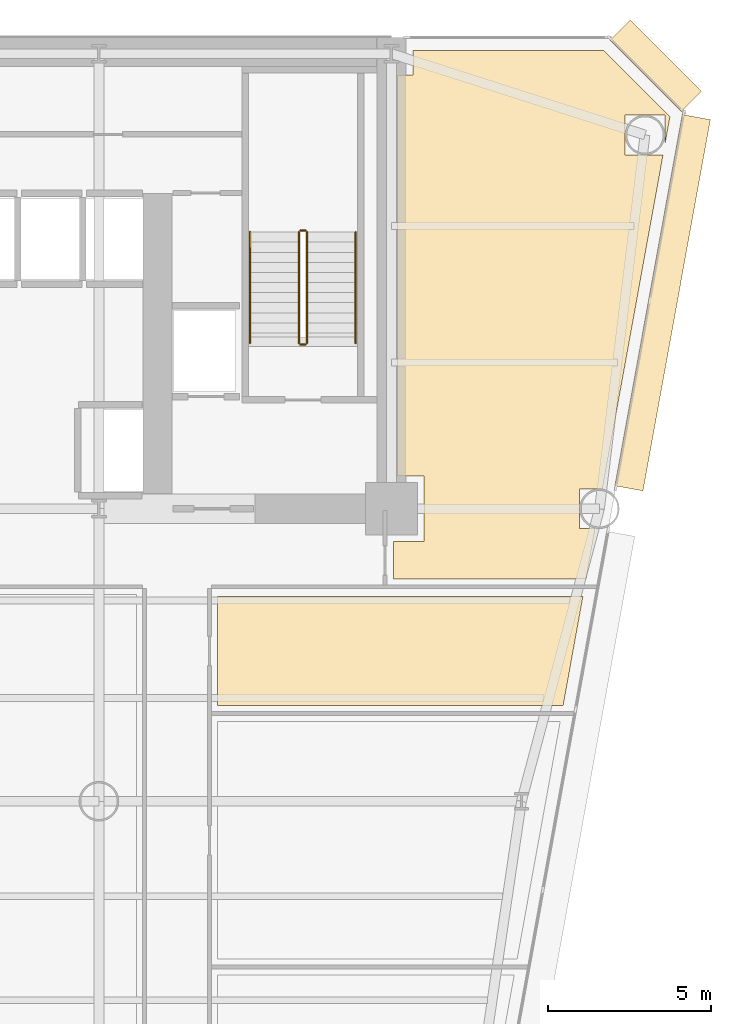
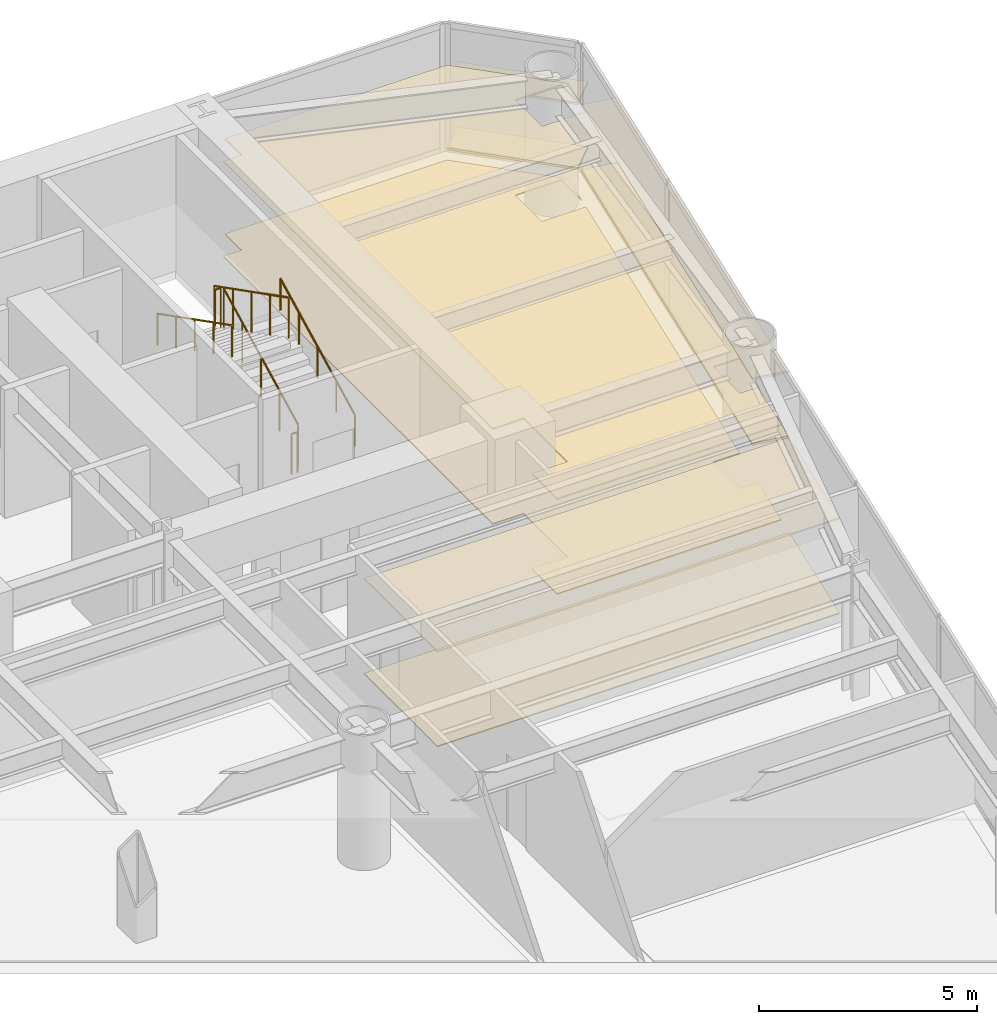
# One storey, part 14 of 14: 8 coverings, 6 railings.
"""IFC4 building model written with IfcOpenShell, lengths in metres."""

from ifc_helpers import new_model, si_unit, direction, frame, origin, origin_2d, place, context, subcontext, project, spatial, polyline, rectangle, circle, outline, extrude, source, transform, mapped, material, layer, layer_set, type_object, element, save


model = new_model("IFC4")

# Units and contexts
model_context = context("Model", 3, precision=1e-05, world=origin(), true_north=direction((0.0, 1.0)))
body_context = subcontext(model_context, "Body", "Model", "MODEL_VIEW")
ifc_project = project(units=[si_unit("LENGTHUNIT", "METRE"), si_unit("AREAUNIT", "SQUARE_METRE"), si_unit("VOLUMEUNIT", "CUBIC_METRE"), si_unit("PLANEANGLEUNIT", "RADIAN"), si_unit("MASSUNIT", "GRAM", prefix="KILO")], contexts=[model_context])

# Site, building, storey
site_placement = place(None, origin())
site = spatial("IfcSite", under=ifc_project, at=site_placement, CompositionType="ELEMENT")
building_placement = place(site_placement, origin())
building = spatial("IfcBuilding", under=site, at=building_placement, Name="Vaeldorn Concourse Tower", CompositionType="ELEMENT")
storey_placement = place(building_placement, frame((0.0, 0.0, 22.60009765625)))
storey = spatial("IfcBuildingStorey", under=building, at=storey_placement, Name="L05", CompositionType="ELEMENT", Elevation=22.60009765625)

# Coverings
ifc_material_1 = material(Name="Acoustic Mineral Fibre Board", Category="gypsum")
ifc_layer_1 = layer(ifc_material_1, 0.0400390625)
ifc_layer_set_1 = layer_set([ifc_layer_1], Name="Acoustic Mineral Fibre Board")
covering_type_1 = type_object("IfcCoveringType", Name="COV-CEIL-ACOUSTIC", PredefinedType="CEILING", material=ifc_layer_set_1)
covering_1_placement = place(storey_placement, frame((0.0, 0.0, 2.64990234375)))
element("IfcCovering", 1, at=covering_1_placement, inside=storey, type_object=covering_type_1, Name="Suspended Acoustic Ceiling L05-4", PredefinedType="CEILING", context=body_context, shape_type="SweptSolid", body=[
    extrude(outline(polyline([(54.179931640625, 49.840087890625), (54.659912109375, 49.840087890625), (54.659912109375, 50.60009765625), (60.5341796875, 50.60009765625), (62.569091796875, 48.565185546875), (62.409423828125, 47.685791015625), (62.409423828125, 48.609619140625), (61.1904296875, 48.609619140625), (61.1904296875, 47.390380859375), (62.35595703125, 47.390380859375), (60.490478515625, 37.109619140625), (59.79052734375, 37.109619140625), (59.79052734375, 35.890380859375), (60.269287109375, 35.890380859375), (59.98779296875, 34.340087890625), (54.06005859375, 34.340087890625), (54.06005859375, 35.5), (55.0, 35.5), (55.0, 37.5), (54.179931640625, 37.5), (54.179931640625, 49.840087890625)])), origin(), (0.0, 0.0, 1.0), 0.0400390625),
])
covering_2_placement = place(storey_placement, frame((0.0, 0.0, 2.64990234375)))
element("IfcCovering", 2, at=covering_2_placement, inside=storey, type_object=covering_type_1, Name="Suspended Acoustic Ceiling L05-9", PredefinedType="CEILING", context=body_context, shape_type="SweptSolid", body=[
    extrude(outline(polyline([(48.639892578125, 30.43994140625), (48.639892578125, 33.800048828125), (59.889892578125, 33.800048828125), (59.2802734375, 30.43994140625), (48.639892578125, 30.43994140625)])), origin(), (0.0, 0.0, 1.0), 0.0400390625),
])
ifc_material_2 = material(Name="Honed Limestone Terrazzo Flooring", Category="masonry")
ifc_layer_2 = layer(ifc_material_2, 0.0400390625)
ifc_layer_set_2 = layer_set([ifc_layer_2], Name="Honed Limestone Terrazzo Flooring")
covering_type_2 = type_object("IfcCoveringType", Name="COV-FLOOR-STONE", PredefinedType="FLOORING", material=ifc_layer_set_2)
covering_3_placement = place(storey_placement, origin())
element("IfcCovering", 3, at=covering_3_placement, inside=storey, type_object=covering_type_2, Name="Floor Finish Covering L05-4", PredefinedType="FLOORING", context=body_context, shape_type="SweptSolid", body=[
    extrude(outline(polyline([(54.179931640625, 49.840087890625), (54.659912109375, 49.840087890625), (54.659912109375, 50.60009765625), (60.5341796875, 50.60009765625), (62.569091796875, 48.565185546875), (62.409423828125, 47.685791015625), (62.409423828125, 48.609619140625), (61.1904296875, 48.609619140625), (61.1904296875, 47.390380859375), (62.35595703125, 47.390380859375), (60.490478515625, 37.109619140625), (59.79052734375, 37.109619140625), (59.79052734375, 35.890380859375), (60.269287109375, 35.890380859375), (59.98779296875, 34.340087890625), (54.06005859375, 34.340087890625), (54.06005859375, 35.5), (55.0, 35.5), (55.0, 37.5), (54.179931640625, 37.5), (54.179931640625, 49.840087890625)])), origin(), (0.0, 0.0, 1.0), 0.02978515625),
])
covering_4_placement = place(storey_placement, origin())
element("IfcCovering", 4, at=covering_4_placement, inside=storey, type_object=covering_type_2, Name="Floor Finish Covering L05-9", PredefinedType="FLOORING", context=body_context, shape_type="SweptSolid", body=[
    extrude(outline(polyline([(48.639892578125, 30.43994140625), (48.639892578125, 33.800048828125), (59.889892578125, 33.800048828125), (59.2802734375, 30.43994140625), (48.639892578125, 30.43994140625)])), origin(), (0.0, 0.0, 1.0), 0.02978515625),
])

# Railings
ifc_material_3 = material(Name="Anodised Bronze Aluminium", Category="aluminium")
railing_type_1 = type_object("IfcRailingType", Name="RL-STAIR-GUARD", PredefinedType="GUARDRAIL", material=ifc_material_3)
railing_1_placement = place(storey_placement, frame((51.39990234375, 41.60009765625, 0.158203125)))
element("IfcRailing", 5, at=railing_1_placement, inside=storey, type_object=railing_type_1, Name="L05 ST-2 stair guard 1", PredefinedType="GUARDRAIL", context=body_context, shape_type="SweptSolid", body=[
    extrude(circle(Radius=0.02392578125, at=origin_2d()), frame((0.0, 0.0, 1.1259765625), z_axis=(0.0, 0.890555807335, 0.454873997962), x_axis=(-1.0, 0.0, 0.0)), (0.0, 0.0, 1.0), 3.828857421875),
    extrude(circle(Radius=0.02099609375, at=origin_2d()), origin(), (0.0, 0.0, 1.0), 1.101806640625),
    extrude(circle(Radius=0.02099609375, at=origin_2d()), frame((0.0, 0.8525390625, 0.435546875)), (0.0, 0.0, 1.0), 1.101806640625),
    extrude(circle(Radius=0.02099609375, at=origin_2d()), frame((0.0, 1.705078125, 0.870849609375)), (0.0, 0.0, 1.0), 1.101806640625),
    extrude(circle(Radius=0.02099609375, at=origin_2d()), frame((0.0, 2.557373046875, 1.30615234375)), (0.0, 0.0, 1.0), 1.101806640625),
    extrude(circle(Radius=0.02099609375, at=origin_2d()), frame((0.0, 3.409912109375, 1.74169921875)), (0.0, 0.0, 1.0), 1.101806640625),
])
railing_2_placement = place(storey_placement, frame((51.35009765625, 45.06005859375, 1.89990234375)))
element("IfcRailing", 6, at=railing_2_placement, inside=storey, type_object=railing_type_1, Name="L05 ST-2 stair guard 2", PredefinedType="GUARDRAIL", context=body_context, shape_type="SweptSolid", body=[
    extrude(circle(Radius=0.02392578125, at=origin_2d()), frame((0.0, 0.0, 1.1259765625), z_axis=(-1.0, 0.0, 0.0), x_axis=(0.0, -1.0, 0.0)), (0.0, 0.0, 1.0), 0.150146484375),
    extrude(circle(Radius=0.02099609375, at=origin_2d()), origin(), (0.0, 0.0, 1.0), 1.101806640625),
    extrude(circle(Radius=0.02099609375, at=origin_2d()), frame((-0.150146484375, 0.0, 0.0)), (0.0, 0.0, 1.0), 1.101806640625),
])
railing_3_placement = place(storey_placement, frame((51.14990234375, 45.010009765625, 2.058349609375)))
element("IfcRailing", 7, at=railing_3_placement, inside=storey, type_object=railing_type_1, Name="L05 ST-2 stair guard 3", PredefinedType="GUARDRAIL", context=body_context, shape_type="SweptSolid", body=[
    extrude(circle(Radius=0.02392578125, at=origin_2d()), frame((0.0, 0.0, 1.1259765625), z_axis=(0.0, -0.890581635807, 0.454823427236), x_axis=(1.0, 0.0, 0.0)), (0.0, 0.0, 1.0), 3.828857421875),
    extrude(circle(Radius=0.02099609375, at=origin_2d()), origin(), (0.0, 0.0, 1.0), 1.101806640625),
    extrude(circle(Radius=0.02099609375, at=origin_2d()), frame((0.0, -0.8525390625, 0.435302734375)), (0.0, 0.0, 1.0), 1.101806640625),
    extrude(circle(Radius=0.02099609375, at=origin_2d()), frame((0.0, -1.705078125, 0.87060546875)), (0.0, 0.0, 1.0), 1.101806640625),
    extrude(circle(Radius=0.02099609375, at=origin_2d()), frame((0.0, -2.557373046875, 1.30615234375)), (0.0, 0.0, 1.0), 1.101806640625),
    extrude(circle(Radius=0.02099609375, at=origin_2d()), frame((0.0, -3.409912109375, 1.741455078125)), (0.0, 0.0, 1.0), 1.101806640625),
])
railing_4_placement = place(storey_placement, frame((51.35009765625, 41.550048828125, 0.0)))
element("IfcRailing", 8, at=railing_4_placement, inside=storey, type_object=railing_type_1, Name="L05 ST-2 stair guard 4", PredefinedType="GUARDRAIL", context=body_context, shape_type="SweptSolid", body=[
    extrude(circle(Radius=0.02392578125, at=origin_2d()), frame((0.0, 0.0, 1.1259765625), z_axis=(-1.0, 0.0, 0.0), x_axis=(0.0, -1.0, 0.0)), (0.0, 0.0, 1.0), 0.150146484375),
    extrude(circle(Radius=0.02099609375, at=origin_2d()), origin(), (0.0, 0.0, 1.0), 1.101806640625),
    extrude(circle(Radius=0.02099609375, at=origin_2d()), frame((-0.150146484375, 0.0, 0.0)), (0.0, 0.0, 1.0), 1.101806640625),
])
railing_type_2 = type_object("IfcRailingType", Name="RL-STAIR-HANDRAIL", PredefinedType="HANDRAIL", material=ifc_material_3)
railing_5_placement = place(storey_placement, frame((52.89990234375, 41.60009765625, 0.158203125)))
element("IfcRailing", 9, at=railing_5_placement, inside=storey, type_object=railing_type_2, Name="L05 ST-2 stair handrail 1", PredefinedType="HANDRAIL", context=body_context, shape_type="SweptSolid", body=[
    extrude(circle(Radius=0.02392578125, at=origin_2d()), frame((0.0, 0.0, 0.8759765625), z_axis=(0.0, 0.890555807335, 0.454873997962), x_axis=(-1.0, 0.0, 0.0)), (0.0, 0.0, 1.0), 3.828857421875),
    extrude(circle(Radius=0.02099609375, at=origin_2d()), origin(), (0.0, 0.0, 1.0), 0.851806640625),
    extrude(circle(Radius=0.02099609375, at=origin_2d()), frame((0.0, 0.8525390625, 0.435546875)), (0.0, 0.0, 1.0), 0.851806640625),
    extrude(circle(Radius=0.02099609375, at=origin_2d()), frame((0.0, 1.705078125, 0.870849609375)), (0.0, 0.0, 1.0), 0.851806640625),
    extrude(circle(Radius=0.02099609375, at=origin_2d()), frame((0.0, 2.557373046875, 1.30615234375)), (0.0, 0.0, 1.0), 0.851806640625),
    extrude(circle(Radius=0.02099609375, at=origin_2d()), frame((0.0, 3.409912109375, 1.74169921875)), (0.0, 0.0, 1.0), 0.851806640625),
])
railing_6_placement = place(storey_placement, frame((49.64990234375, 45.010009765625, 2.058349609375)))
element("IfcRailing", 10, at=railing_6_placement, inside=storey, type_object=railing_type_2, Name="L05 ST-2 stair handrail 2", PredefinedType="HANDRAIL", context=body_context, shape_type="SweptSolid", body=[
    extrude(circle(Radius=0.02392578125, at=origin_2d()), frame((0.0, 0.0, 0.8759765625), z_axis=(0.0, -0.890581635807, 0.454823427236), x_axis=(1.0, 0.0, 0.0)), (0.0, 0.0, 1.0), 3.828857421875),
    extrude(circle(Radius=0.02099609375, at=origin_2d()), origin(), (0.0, 0.0, 1.0), 0.851806640625),
    extrude(circle(Radius=0.02099609375, at=origin_2d()), frame((0.0, -0.8525390625, 0.435302734375)), (0.0, 0.0, 1.0), 0.851806640625),
    extrude(circle(Radius=0.02099609375, at=origin_2d()), frame((0.0, -1.705078125, 0.87060546875)), (0.0, 0.0, 1.0), 0.851806640625),
    extrude(circle(Radius=0.02099609375, at=origin_2d()), frame((0.0, -2.557373046875, 1.30615234375)), (0.0, 0.0, 1.0), 0.851806640625),
    extrude(circle(Radius=0.02099609375, at=origin_2d()), frame((0.0, -3.409912109375, 1.741455078125)), (0.0, 0.0, 1.0), 0.851806640625),
])

# Coverings
ifc_layer_3 = layer(ifc_material_3, 0.06494140625)
ifc_layer_set_3 = layer_set([ifc_layer_3], Name="Anodised Bronze Aluminium")
covering_type_3 = type_object("IfcCoveringType", Name="SD-BRONZE-SUNSHADE", PredefinedType="USERDEFINED", material=ifc_layer_set_3)
shared_shape_1 = source(origin(), body_context, "Body", "SweptSolid", [
    extrude(rectangle(XDim=3.0927734375, YDim=0.8798828125, at=origin_2d()), origin(), (0.0, 0.0, 1.0), 0.06494140625),
])
for number, where, z_axis, x_axis, name in (
    (11, (62.1328125, 50.1328125, 0.04736328125), (0.0, 0.0, 1.0), (-0.707106781187, 0.707106781187, 0.0), "Horizontal Bronze Sunshade L05-E08.1.1"),
    (12, (62.1328125, 50.1328125, 1.867431640625), (0.0, 0.0, 1.0), (-0.707106781187, 0.707106781187, 0.0), "Horizontal Bronze Sunshade L05-E08.1.2"),
):
    element("IfcCovering", number, at=place(storey_placement, frame(where, z_axis=z_axis, x_axis=x_axis)), inside=storey, type_object=covering_type_3, Name=name, ObjectType="SUNSHADE", PredefinedType="USERDEFINED", context=body_context, shape_type="MappedRepresentation", body=[
        mapped(shared_shape_1, transform((0.0, 0.0, 0.0), scale=1.0)),
    ])
shared_shape_2 = source(origin(), body_context, "Body", "SweptSolid", [
    extrude(rectangle(XDim=11.609619140625, YDim=0.8798828125, at=origin_2d()), origin(), (0.0, 0.0, 1.0), 0.06494140625),
])
for number, where, z_axis, x_axis, name in (
    (13, (62.343017578125, 42.83837890625, 0.04736328125), (0.0, 0.0, 1.0), (0.178527455614, 0.983934930568, 0.0), "Horizontal Bronze Sunshade L05-E07.2.1"),
    (14, (62.343017578125, 42.83837890625, 1.867431640625), (0.0, 0.0, 1.0), (0.178527455614, 0.983934930568, 0.0), "Horizontal Bronze Sunshade L05-E07.2.2"),
):
    element("IfcCovering", number, at=place(storey_placement, frame(where, z_axis=z_axis, x_axis=x_axis)), inside=storey, type_object=covering_type_3, Name=name, ObjectType="SUNSHADE", PredefinedType="USERDEFINED", context=body_context, shape_type="MappedRepresentation", body=[
        mapped(shared_shape_2, transform((0.0, 0.0, 0.0), scale=1.0)),
    ])

save(model, "model.ifc")
